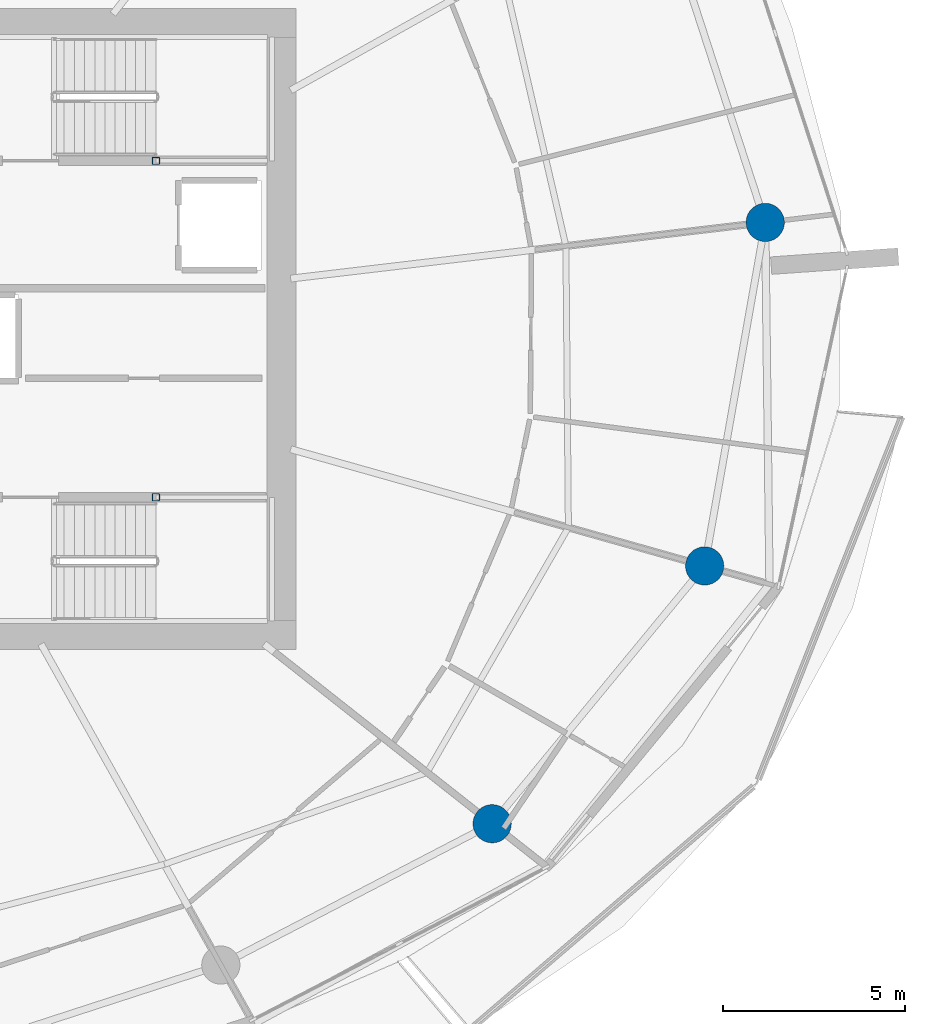
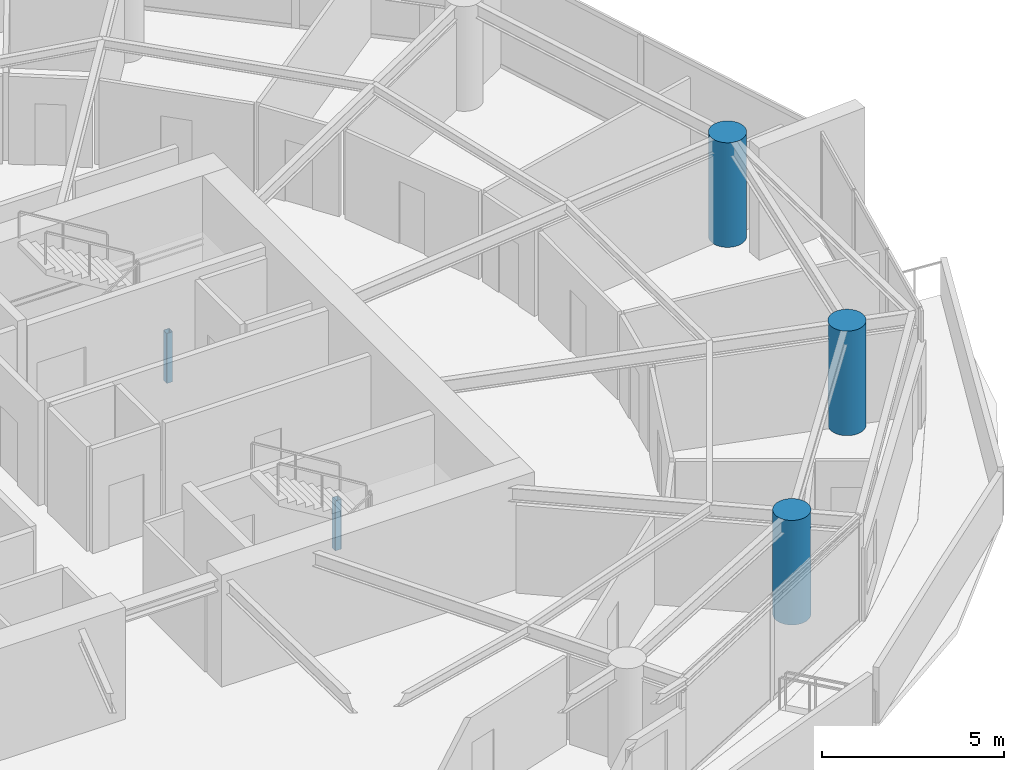
# One storey, part 3 of 20: 5 columns.
"""IFC4 building model written with IfcOpenShell, lengths in metres."""

from ifc_helpers import new_model, si_unit, direction, frame, origin, origin_2d, place, context, subcontext, project, spatial, hollow_rectangle, circle, extrude, material, material_profile, profile_set, type_object, element, save


model = new_model("IFC4")

# Units and contexts
model_context = context("Model", 3, precision=1e-05, world=origin(), true_north=direction((0.0, 1.0)))
body_context = subcontext(model_context, "Body", "Model", "MODEL_VIEW")
ifc_project = project(units=[si_unit("LENGTHUNIT", "METRE"), si_unit("AREAUNIT", "SQUARE_METRE"), si_unit("VOLUMEUNIT", "CUBIC_METRE"), si_unit("PLANEANGLEUNIT", "RADIAN"), si_unit("MASSUNIT", "GRAM", prefix="KILO")], contexts=[model_context])

# Site, building, storey
site_placement = place(None, origin())
site = spatial("IfcSite", under=ifc_project, at=site_placement, CompositionType="ELEMENT")
building_placement = place(site_placement, origin())
building = spatial("IfcBuilding", under=site, at=building_placement, Name="Kazma Halo Residences", CompositionType="ELEMENT")
storey_placement = place(building_placement, frame((0.0, 0.0, 131.550048828125)))
storey = spatial("IfcBuildingStorey", under=building, at=storey_placement, Name="L32", CompositionType="ELEMENT", Elevation=131.550048828125)

# Columns
ifc_material_1 = material(Name="Steel S355", Category="steel")
ifc_material_profile_1 = material_profile(ifc_material_1, hollow_rectangle(XDim=0.199951171875, YDim=0.199951171875, WallThickness=0.010009765625, InnerFilletRadius=0.010009765625, OuterFilletRadius=0.02001953125, at=origin_2d()), Name="SHS200x200x10")
ifc_profile_set_1 = profile_set([ifc_material_profile_1], Name="Steel S355")
column_type_1 = type_object("IfcColumnType", Name="COL-LP-SHS200", PredefinedType="COLUMN", material=ifc_profile_set_1)
for number, where, z_axis, x_axis, name in (
    (1, (56.0, 46.6201171875, 0.0), (0.0, 0.0, 1.0), (1.0, 0.0, 0.0), "L32 ST-02 landing pilaster 1"),
    (2, (56.0, 37.3798828125, 0.0), (0.0, 0.0, 1.0), (1.0, 0.0, 0.0), "L32 ST-03 landing pilaster 1"),
):
    element("IfcColumn", number, at=place(storey_placement, frame(where, z_axis=z_axis, x_axis=x_axis)), inside=storey, type_object=column_type_1, Name=name, PredefinedType="COLUMN", context=body_context, shape_type="SweptSolid", body=[
        extrude(hollow_rectangle(XDim=0.199951171875, YDim=0.199951171875, WallThickness=0.010009765625, InnerFilletRadius=0.010009765625, OuterFilletRadius=0.02001953125, at=origin_2d()), origin(), (0.0, 0.0, 1.0), 1.669921875),
    ])
ifc_material_2 = material(Name="Concrete C80/95", Category="concrete")
ifc_material_profile_2 = material_profile(ifc_material_2, circle(Radius=0.52490234375, at=origin_2d()), Name="CIRC1050")
ifc_profile_set_2 = profile_set([ifc_material_profile_2], Name="Concrete C80/95")
column_type_2 = type_object("IfcColumnType", Name="COL-PERIM-1050", PredefinedType="COLUMN", material=ifc_profile_set_2)
for number, where, z_axis, x_axis, name in (
    (3, (65.234375, 28.41357421875, 0.0), (0.0, 0.0, 1.0), (1.0, 0.0, 0.0), "L32 perimeter ring column P14"),
    (4, (71.06982421875, 35.49365234375, 0.0), (0.0, 0.0, 1.0), (1.0, 0.0, 0.0), "L32 perimeter ring column P15"),
    (5, (72.733154296875, 44.927490234375, 0.0), (0.0, 0.0, 1.0), (1.0, 0.0, 0.0), "L32 perimeter ring column P16"),
):
    element("IfcColumn", number, at=place(storey_placement, frame(where, z_axis=z_axis, x_axis=x_axis)), inside=storey, type_object=column_type_2, Name=name, PredefinedType="COLUMN", context=body_context, shape_type="SweptSolid", body=[
        extrude(circle(Radius=0.52490234375, at=origin_2d()), origin(), (0.0, 0.0, 1.0), 3.5),
    ])

save(model, "model.ifc")
